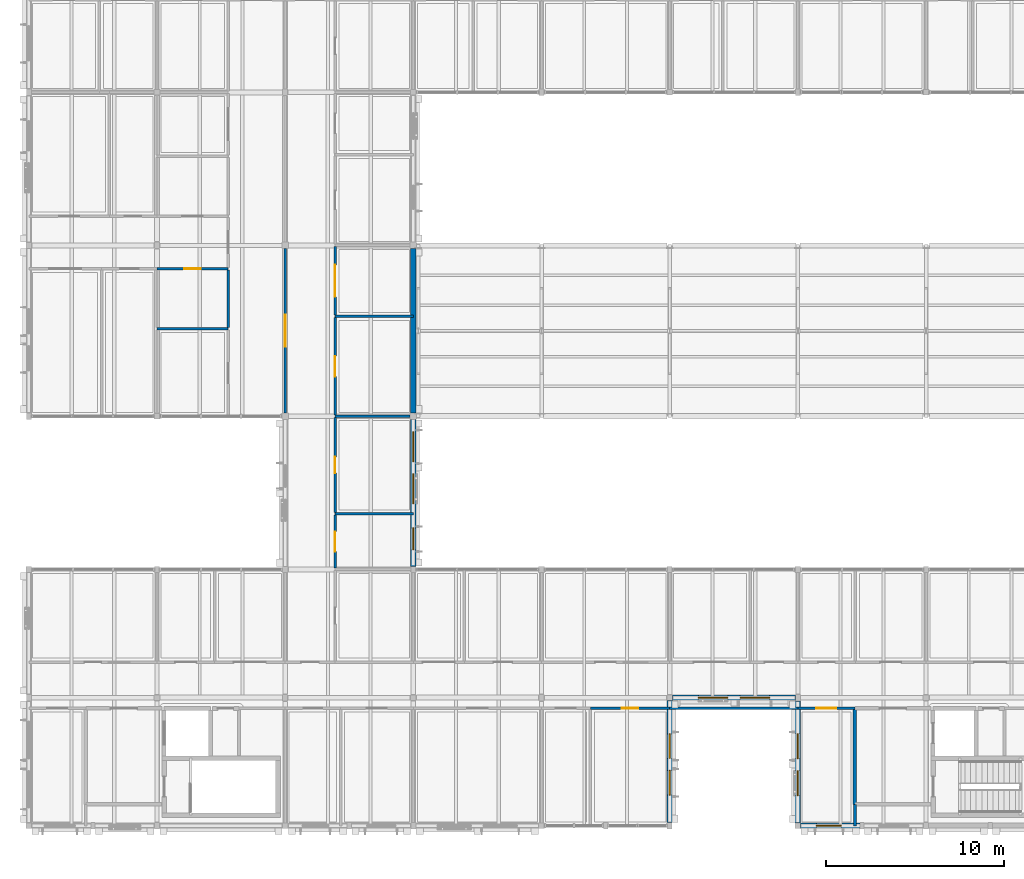
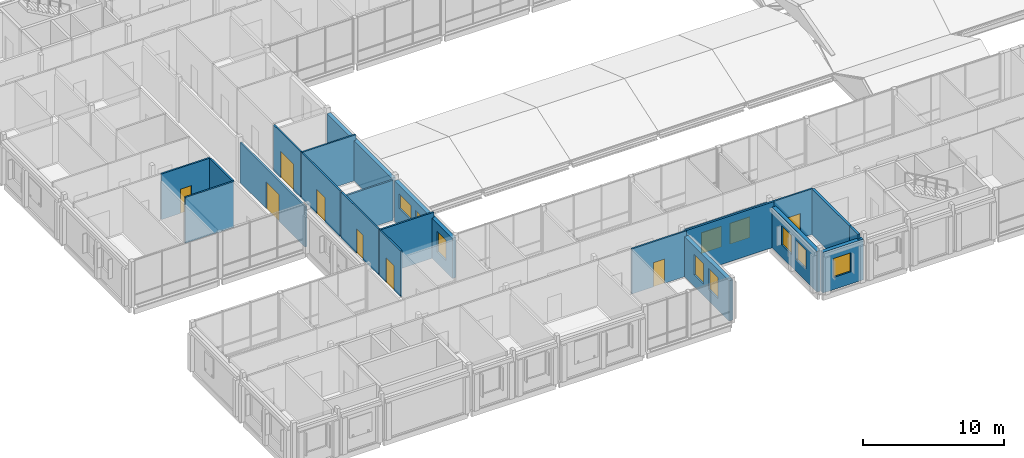
# One storey, part 83 of 115: 22 walls, 10 windows, 8 doors, 18 openings.
"""IFC4 building model written with IfcOpenShell, lengths in metres."""

from ifc_helpers import new_model, si_unit, direction, frame, frame_2d, origin, place, context, subcontext, project, spatial, rectangle, extrude, material, layer, layer_set, type_object, element, fill, save


model = new_model("IFC4")

# Units and contexts
model_context = context("Model", 3, precision=1e-05, world=origin(), true_north=direction((0.0, 1.0)))
body_context = subcontext(model_context, "Body", "Model", "MODEL_VIEW")
ifc_project = project(units=[si_unit("LENGTHUNIT", "METRE"), si_unit("AREAUNIT", "SQUARE_METRE"), si_unit("VOLUMEUNIT", "CUBIC_METRE"), si_unit("PLANEANGLEUNIT", "RADIAN"), si_unit("MASSUNIT", "GRAM", prefix="KILO")], contexts=[model_context])

# Site, building, storey
site_placement = place(None, origin())
site = spatial("IfcSite", under=ifc_project, at=site_placement, CompositionType="ELEMENT")
building_placement = place(site_placement, origin())
building = spatial("IfcBuilding", under=site, at=building_placement, Name="Hawrajan Terrace Health Centre", CompositionType="ELEMENT")
storey_placement = place(building_placement, frame((0.0, 0.0, 9.0)))
storey = spatial("IfcBuildingStorey", under=building, at=storey_placement, Name="L02", CompositionType="ELEMENT", Elevation=9.0)

# Wall, openings, windows
ifc_material_1 = material(Name="Precast concrete C40/50", Category="concrete")
ifc_layer_1 = layer(ifc_material_1, 0.31005859375)
ifc_layer_set_1 = layer_set([ifc_layer_1], Name="Precast concrete C40/50")
wall_type_1 = type_object("IfcWallType", Name="ArtDecoFacadeWall_310", PredefinedType="SOLIDWALL", material=ifc_layer_set_1)
wall_1_placement = place(storey_placement, frame((26.199951171875, 18.780029296875, 0.0), z_axis=(0.0, 0.0, 1.0), x_axis=(0.0, 1.0, 0.0)))
wall_1 = element("IfcWall", 1, at=wall_1_placement, inside=storey, type_object=wall_type_1, Name="Exterior wall EW-L02-V03-02-1", PredefinedType="SOLIDWALL", context=body_context, shape_type="SweptSolid", body=[
    extrude(rectangle(XDim=8.239990234375, YDim=0.31005859375, at=frame_2d((4.1201171875, 0.0))), origin(), (0.0, 0.0, 1.0), 3.489990234375),
])
opening_1_placement = place(wall_1_placement, frame((0.915283203125, 0.0, 1.0)))
opening_1 = element("IfcOpeningElement", 2, at=opening_1_placement, cuts=wall_1, Name="Opening W-L02-128", PredefinedType="OPENING", context=body_context, shape_type="SweptSolid", body=[
    extrude(rectangle(XDim=1.239990234375, YDim=1.800048828125, at=frame_2d((0.6201171875, 0.89990234375))), frame((0.0, 0.1650390625, 0.0), z_axis=(0.0, -1.0, 0.0), x_axis=(1.0, 0.0, 0.0)), (0.0, 0.0, 1.0), 0.330078125),
])
opening_2_placement = place(wall_1_placement, frame((3.51513671875, 0.0, 1.5)))
opening_2 = element("IfcOpeningElement", 3, at=opening_2_placement, cuts=wall_1, Name="Opening W-L02-129", PredefinedType="OPENING", context=body_context, shape_type="SweptSolid", body=[
    extrude(rectangle(XDim=1.679931640625, YDim=1.25, at=frame_2d((0.83984375, 0.625))), frame((0.0, 0.1650390625, 0.0), z_axis=(0.0, -1.0, 0.0), x_axis=(1.0, 0.0, 0.0)), (0.0, 0.0, 1.0), 0.330078125),
])
opening_3_placement = place(wall_1_placement, frame((5.875244140625, 0.0, 1.5)))
opening_3 = element("IfcOpeningElement", 4, at=opening_3_placement, cuts=wall_1, Name="Opening W-L02-130", PredefinedType="OPENING", context=body_context, shape_type="SweptSolid", body=[
    extrude(rectangle(XDim=1.679931640625, YDim=1.25, at=frame_2d((0.83984375, 0.625))), frame((0.0, 0.1650390625, 0.0), z_axis=(0.0, -1.0, 0.0), x_axis=(1.0, 0.0, 0.0)), (0.0, 0.0, 1.0), 0.330078125),
])
ifc_material_2 = material(Name="Anodized bronze frame with double low-E glazing", Category="glass")
window_type_1 = type_object("IfcWindowType", Name="FacadeWindow_1240x1800", PartitioningType="SINGLE_PANEL", PredefinedType="WINDOW", material=ifc_material_2)
window_1_placement = place(opening_1_placement, origin())
window_1 = element("IfcWindow", 5, at=window_1_placement, inside=storey, type_object=window_type_1, Name="Window W-L02-128", OverallHeight=1.800048828125, OverallWidth=1.239990234375, PartitioningType="SINGLE_PANEL", PredefinedType="WINDOW", context=body_context, shape_type="SweptSolid", body=[
    extrude(rectangle(XDim=1.239990234375, YDim=1.800048828125, at=frame_2d((0.6201171875, 0.89990234375))), frame((0.0, 0.030029296875, 0.0), z_axis=(0.0, -1.0, 0.0), x_axis=(1.0, 0.0, 0.0)), (0.0, 0.0, 1.0), 0.06005859375),
])
fill(opening_1, window_1)
window_type_2 = type_object("IfcWindowType", Name="FacadeWindow_1680x1250", PartitioningType="DOUBLE_PANEL_VERTICAL", PredefinedType="WINDOW", material=ifc_material_2)
window_2_placement = place(opening_2_placement, origin())
window_2 = element("IfcWindow", 6, at=window_2_placement, inside=storey, type_object=window_type_2, Name="Window W-L02-129", OverallHeight=1.25, OverallWidth=1.679931640625, PartitioningType="DOUBLE_PANEL_VERTICAL", PredefinedType="WINDOW", context=body_context, shape_type="SweptSolid", body=[
    extrude(rectangle(XDim=1.679931640625, YDim=1.25, at=frame_2d((0.83984375, 0.625))), frame((0.0, 0.030029296875, 0.0), z_axis=(0.0, -1.0, 0.0), x_axis=(1.0, 0.0, 0.0)), (0.0, 0.0, 1.0), 0.06005859375),
])
fill(opening_2, window_2)
window_3_placement = place(opening_3_placement, origin())
window_3 = element("IfcWindow", 7, at=window_3_placement, inside=storey, type_object=window_type_2, Name="Window W-L02-130", OverallHeight=1.25, OverallWidth=1.679931640625, PartitioningType="DOUBLE_PANEL_VERTICAL", PredefinedType="WINDOW", context=body_context, shape_type="SweptSolid", body=[
    extrude(rectangle(XDim=1.679931640625, YDim=1.25, at=frame_2d((0.83984375, 0.625))), frame((0.0, 0.030029296875, 0.0), z_axis=(0.0, -1.0, 0.0), x_axis=(1.0, 0.0, 0.0)), (0.0, 0.0, 1.0), 0.06005859375),
])
fill(opening_3, window_3)

# Wall
wall_2_placement = place(storey_placement, frame((26.199951171875, 27.3798828125, 0.0), z_axis=(0.0, 0.0, 1.0), x_axis=(0.0, 1.0, 0.0)))
element("IfcWall", 8, at=wall_2_placement, inside=storey, type_object=wall_type_1, Name="Exterior wall EW-L02-V03-03-1", PredefinedType="SOLIDWALL", context=body_context, shape_type="SweptSolid", body=[
    extrude(rectangle(XDim=9.240234375, YDim=0.31005859375, at=frame_2d((4.6201171875, 0.0))), origin(), (0.0, 0.0, 1.0), 3.489990234375),
])

# Wall, openings, windows
wall_3_placement = place(storey_placement, frame((40.60009765625, 4.3798828125, 0.0), z_axis=(0.0, 0.0, 1.0), x_axis=(0.0, 1.0, 0.0)))
wall_3 = element("IfcWall", 9, at=wall_3_placement, inside=storey, type_object=wall_type_1, Name="Exterior wall EW-L02-V05-00-1", PredefinedType="SOLIDWALL", context=body_context, shape_type="SweptSolid", body=[
    extrude(rectangle(XDim=6.860107421875, YDim=0.31005859375, at=frame_2d((3.43017578125, 0.0))), origin(), (0.0, 0.0, 1.0), 3.489990234375),
])
opening_4_placement = place(wall_3_placement, frame((1.550048828125, 0.0, 1.0)))
opening_4 = element("IfcOpeningElement", 10, at=opening_4_placement, cuts=wall_3, Name="Opening W-L02-139", PredefinedType="OPENING", context=body_context, shape_type="SweptSolid", body=[
    extrude(rectangle(XDim=1.3798828125, YDim=1.800048828125, at=frame_2d((0.68994140625, 0.89990234375))), frame((0.0, 0.1650390625, 0.0), z_axis=(0.0, -1.0, 0.0), x_axis=(1.0, 0.0, 0.0)), (0.0, 0.0, 1.0), 0.330078125),
])
opening_5_placement = place(wall_3_placement, frame((3.610107421875, 0.0, 1.0)))
opening_5 = element("IfcOpeningElement", 11, at=opening_5_placement, cuts=wall_3, Name="Opening W-L02-140", PredefinedType="OPENING", context=body_context, shape_type="SweptSolid", body=[
    extrude(rectangle(XDim=1.3798828125, YDim=1.800048828125, at=frame_2d((0.68994140625, 0.89990234375))), frame((0.0, 0.1650390625, 0.0), z_axis=(0.0, -1.0, 0.0), x_axis=(1.0, 0.0, 0.0)), (0.0, 0.0, 1.0), 0.330078125),
])
window_type_3 = type_object("IfcWindowType", Name="FacadeWindow_1380x1800", PartitioningType="SINGLE_PANEL", PredefinedType="WINDOW", material=ifc_material_2)
window_4_placement = place(opening_4_placement, origin())
window_4 = element("IfcWindow", 12, at=window_4_placement, inside=storey, type_object=window_type_3, Name="Window W-L02-139", OverallHeight=1.800048828125, OverallWidth=1.3798828125, PartitioningType="SINGLE_PANEL", PredefinedType="WINDOW", context=body_context, shape_type="SweptSolid", body=[
    extrude(rectangle(XDim=1.3798828125, YDim=1.800048828125, at=frame_2d((0.68994140625, 0.89990234375))), frame((0.0, 0.030029296875, 0.0), z_axis=(0.0, -1.0, 0.0), x_axis=(1.0, 0.0, 0.0)), (0.0, 0.0, 1.0), 0.06005859375),
])
fill(opening_4, window_4)
window_5_placement = place(opening_5_placement, origin())
window_5 = element("IfcWindow", 13, at=window_5_placement, inside=storey, type_object=window_type_3, Name="Window W-L02-140", OverallHeight=1.800048828125, OverallWidth=1.3798828125, PartitioningType="SINGLE_PANEL", PredefinedType="WINDOW", context=body_context, shape_type="SweptSolid", body=[
    extrude(rectangle(XDim=1.3798828125, YDim=1.800048828125, at=frame_2d((0.68994140625, 0.89990234375))), frame((0.0, 0.030029296875, 0.0), z_axis=(0.0, -1.0, 0.0), x_axis=(1.0, 0.0, 0.0)), (0.0, 0.0, 1.0), 0.06005859375),
])
fill(opening_5, window_5)

wall_4_placement = place(storey_placement, frame((40.760009765625, 11.39990234375, 0.0), z_axis=(0.0, 0.0, 1.0), x_axis=(1.0, 0.0, 0.0)))
wall_4 = element("IfcWall", 14, at=wall_4_placement, inside=storey, type_object=wall_type_1, Name="Exterior wall EW-L02-H05-01-1", PredefinedType="SOLIDWALL", context=body_context, shape_type="SweptSolid", body=[
    extrude(rectangle(XDim=6.89990234375, YDim=0.31005859375, at=frame_2d((3.449951171875, 0.0))), origin(), (0.0, 0.0, 1.0), 3.489990234375),
])
opening_6_placement = place(wall_4_placement, frame((1.449951171875, 0.0, 1.0)))
opening_6 = element("IfcOpeningElement", 15, at=opening_6_placement, cuts=wall_4, Name="Opening W-L02-141", PredefinedType="OPENING", context=body_context, shape_type="SweptSolid", body=[
    extrude(rectangle(XDim=1.659912109375, YDim=1.800048828125, at=frame_2d((0.830078125, 0.89990234375))), frame((0.0, 0.1650390625, 0.0), z_axis=(0.0, -1.0, 0.0), x_axis=(1.0, 0.0, 0.0)), (0.0, 0.0, 1.0), 0.330078125),
])
opening_7_placement = place(wall_4_placement, frame((3.7900390625, 0.0, 1.0)))
opening_7 = element("IfcOpeningElement", 16, at=opening_7_placement, cuts=wall_4, Name="Opening W-L02-142", PredefinedType="OPENING", context=body_context, shape_type="SweptSolid", body=[
    extrude(rectangle(XDim=1.659912109375, YDim=1.800048828125, at=frame_2d((0.830078125, 0.89990234375))), frame((0.0, 0.1650390625, 0.0), z_axis=(0.0, -1.0, 0.0), x_axis=(1.0, 0.0, 0.0)), (0.0, 0.0, 1.0), 0.330078125),
])
window_type_4 = type_object("IfcWindowType", Name="FacadeWindow_1660x1800", PartitioningType="DOUBLE_PANEL_VERTICAL", PredefinedType="WINDOW", material=ifc_material_2)
window_6_placement = place(opening_6_placement, origin())
window_6 = element("IfcWindow", 17, at=window_6_placement, inside=storey, type_object=window_type_4, Name="Window W-L02-141", OverallHeight=1.800048828125, OverallWidth=1.659912109375, PartitioningType="DOUBLE_PANEL_VERTICAL", PredefinedType="WINDOW", context=body_context, shape_type="SweptSolid", body=[
    extrude(rectangle(XDim=1.659912109375, YDim=1.800048828125, at=frame_2d((0.830078125, 0.89990234375))), frame((0.0, 0.030029296875, 0.0), z_axis=(0.0, -1.0, 0.0), x_axis=(1.0, 0.0, 0.0)), (0.0, 0.0, 1.0), 0.06005859375),
])
fill(opening_6, window_6)
window_7_placement = place(opening_7_placement, origin())
window_7 = element("IfcWindow", 18, at=window_7_placement, inside=storey, type_object=window_type_4, Name="Window W-L02-142", OverallHeight=1.800048828125, OverallWidth=1.659912109375, PartitioningType="DOUBLE_PANEL_VERTICAL", PredefinedType="WINDOW", context=body_context, shape_type="SweptSolid", body=[
    extrude(rectangle(XDim=1.659912109375, YDim=1.800048828125, at=frame_2d((0.830078125, 0.89990234375))), frame((0.0, 0.030029296875, 0.0), z_axis=(0.0, -1.0, 0.0), x_axis=(1.0, 0.0, 0.0)), (0.0, 0.0, 1.0), 0.06005859375),
])
fill(opening_7, window_7)

# Wall, opening, window
wall_5_placement = place(storey_placement, frame((47.9599609375, 4.199951171875, 0.0), z_axis=(0.0, 0.0, 1.0), x_axis=(1.0, 0.0, 0.0)))
wall_5 = element("IfcWall", 19, at=wall_5_placement, inside=storey, type_object=wall_type_1, Name="Exterior wall EW-L02-H06-00-1", PredefinedType="SOLIDWALL", context=body_context, shape_type="SweptSolid", body=[
    extrude(rectangle(XDim=3.320068359375, YDim=0.31005859375, at=frame_2d((1.66015625, 0.0))), origin(), (0.0, 0.0, 1.0), 3.530029296875),
])
opening_8_placement = place(wall_5_placement, frame((0.8798828125, 0.0, 1.050048828125)))
opening_8 = element("IfcOpeningElement", 20, at=opening_8_placement, cuts=wall_5, Name="Opening W-L02-145", PredefinedType="OPENING", context=body_context, shape_type="SweptSolid", body=[
    extrude(rectangle(XDim=1.39990234375, YDim=1.64990234375, at=frame_2d((0.699951171875, 0.824951171875))), frame((0.0, 0.1650390625, 0.0), z_axis=(0.0, -1.0, 0.0), x_axis=(1.0, 0.0, 0.0)), (0.0, 0.0, 1.0), 0.330078125),
])
window_type_5 = type_object("IfcWindowType", Name="FacadeWindow_1400x1650", PartitioningType="SINGLE_PANEL", PredefinedType="WINDOW", material=ifc_material_2)
window_8_placement = place(opening_8_placement, origin())
window_8 = element("IfcWindow", 21, at=window_8_placement, inside=storey, type_object=window_type_5, Name="Window W-L02-145", OverallHeight=1.64990234375, OverallWidth=1.39990234375, PartitioningType="SINGLE_PANEL", PredefinedType="WINDOW", context=body_context, shape_type="SweptSolid", body=[
    extrude(rectangle(XDim=1.39990234375, YDim=1.64990234375, at=frame_2d((0.699951171875, 0.824951171875))), frame((0.0, 0.030029296875, 0.0), z_axis=(0.0, -1.0, 0.0), x_axis=(1.0, 0.0, 0.0)), (0.0, 0.0, 1.0), 0.06005859375),
])
fill(opening_8, window_8)

# Wall, openings, windows
wall_6_placement = place(storey_placement, frame((47.800048828125, 4.360107421875, 0.0), z_axis=(0.0, 0.0, 1.0), x_axis=(0.0, 1.0, 0.0)))
wall_6 = element("IfcWall", 22, at=wall_6_placement, inside=storey, type_object=wall_type_1, Name="Exterior wall EW-L02-V06-00-1", PredefinedType="SOLIDWALL", context=body_context, shape_type="SweptSolid", body=[
    extrude(rectangle(XDim=6.85986328125, YDim=0.31005859375, at=frame_2d((3.429931640625, 0.0))), origin(), (0.0, 0.0, 1.0), 3.52001953125),
])
opening_9_placement = place(wall_6_placement, frame((1.5400390625, 0.0, 1.050048828125)))
opening_9 = element("IfcOpeningElement", 23, at=opening_9_placement, cuts=wall_6, Name="Opening W-L02-147", PredefinedType="OPENING", context=body_context, shape_type="SweptSolid", body=[
    extrude(rectangle(XDim=1.39990234375, YDim=1.64990234375, at=frame_2d((0.699951171875, 0.824951171875))), frame((0.0, 0.1650390625, 0.0), z_axis=(0.0, -1.0, 0.0), x_axis=(1.0, 0.0, 0.0)), (0.0, 0.0, 1.0), 0.330078125),
])
opening_10_placement = place(wall_6_placement, frame((3.6201171875, 0.0, 1.050048828125)))
opening_10 = element("IfcOpeningElement", 24, at=opening_10_placement, cuts=wall_6, Name="Opening W-L02-148", PredefinedType="OPENING", context=body_context, shape_type="SweptSolid", body=[
    extrude(rectangle(XDim=1.39990234375, YDim=1.64990234375, at=frame_2d((0.699951171875, 0.824951171875))), frame((0.0, 0.1650390625, 0.0), z_axis=(0.0, -1.0, 0.0), x_axis=(1.0, 0.0, 0.0)), (0.0, 0.0, 1.0), 0.330078125),
])
window_9_placement = place(opening_9_placement, origin())
window_9 = element("IfcWindow", 25, at=window_9_placement, inside=storey, type_object=window_type_5, Name="Window W-L02-147", OverallHeight=1.64990234375, OverallWidth=1.39990234375, PartitioningType="SINGLE_PANEL", PredefinedType="WINDOW", context=body_context, shape_type="SweptSolid", body=[
    extrude(rectangle(XDim=1.39990234375, YDim=1.64990234375, at=frame_2d((0.699951171875, 0.824951171875))), frame((0.0, 0.030029296875, 0.0), z_axis=(0.0, -1.0, 0.0), x_axis=(1.0, 0.0, 0.0)), (0.0, 0.0, 1.0), 0.06005859375),
])
fill(opening_9, window_9)
window_10_placement = place(opening_10_placement, origin())
window_10 = element("IfcWindow", 26, at=window_10_placement, inside=storey, type_object=window_type_5, Name="Window W-L02-148", OverallHeight=1.64990234375, OverallWidth=1.39990234375, PartitioningType="SINGLE_PANEL", PredefinedType="WINDOW", context=body_context, shape_type="SweptSolid", body=[
    extrude(rectangle(XDim=1.39990234375, YDim=1.64990234375, at=frame_2d((0.699951171875, 0.824951171875))), frame((0.0, 0.030029296875, 0.0), z_axis=(0.0, -1.0, 0.0), x_axis=(1.0, 0.0, 0.0)), (0.0, 0.0, 1.0), 0.06005859375),
])
fill(opening_10, window_10)

# Wall
ifc_material_3 = material(Name="Gypsum board on acoustic stud framing")
ifc_layer_2 = layer(ifc_material_3, 0.139892578125)
ifc_layer_set_2 = layer_set([ifc_layer_2], Name="Gypsum board on acoustic stud framing")
wall_type_2 = type_object("IfcWallType", Name="ClinicalAcousticWall_140", PredefinedType="PARTITIONING", material=ifc_layer_set_2)
wall_7_placement = place(storey_placement, frame((11.800048828125, 32.1220703125, 0.0), z_axis=(0.0, 0.0, 1.0), x_axis=(1.0, 0.0, 0.0)))
element("IfcWall", 27, at=wall_7_placement, inside=storey, type_object=wall_type_2, Name="Interior wall IW-L02-1002", PredefinedType="PARTITIONING", context=body_context, shape_type="SweptSolid", body=[
    extrude(rectangle(XDim=4.0, YDim=0.139892578125, at=frame_2d((2.0, 0.0))), origin(), (0.0, 0.0, 1.0), 3.9599609375),
])

# Wall, opening, door
wall_8_placement = place(storey_placement, frame((11.800048828125, 35.5, 0.0), z_axis=(0.0, 0.0, 1.0), x_axis=(1.0, 0.0, 0.0)))
wall_8 = element("IfcWall", 28, at=wall_8_placement, inside=storey, type_object=wall_type_2, Name="Interior wall IW-L02-1003", PredefinedType="PARTITIONING", context=body_context, shape_type="SweptSolid", body=[
    extrude(rectangle(XDim=4.0, YDim=0.139892578125, at=frame_2d((2.0, 0.0))), origin(), (0.0, 0.0, 1.0), 3.9599609375),
])
opening_11_placement = place(wall_8_placement, frame((1.5400390625, 0.0, 0.0)))
opening_11 = element("IfcOpeningElement", 29, at=opening_11_placement, cuts=wall_8, Name="Opening D-L02-476", PredefinedType="OPENING", context=body_context, shape_type="SweptSolid", body=[
    extrude(rectangle(XDim=0.919921875, YDim=2.10009765625, at=frame_2d((0.4599609375, 1.050048828125))), frame((0.0, 0.079833984375, 0.0), z_axis=(0.0, -1.0, 0.0), x_axis=(1.0, 0.0, 0.0)), (0.0, 0.0, 1.0), 0.159912109375),
])
ifc_material_4 = material(Name="Hardwood acoustic clinical door leaf and frame", Category="wood")
door_type_1 = type_object("IfcDoorType", Name="StaffOfficeDoor_920x2100", OperationType="NOTDEFINED", PredefinedType="DOOR", material=ifc_material_4)
door_1_placement = place(opening_11_placement, origin())
door_1 = element("IfcDoor", 30, at=door_1_placement, inside=storey, type_object=door_type_1, Name="Interior door D-L02-476", OperationType="SINGLE_SWING_RIGHT", OverallHeight=2.10009765625, OverallWidth=0.919921875, PredefinedType="DOOR", context=body_context, shape_type="SweptSolid", body=[
    extrude(rectangle(XDim=0.919921875, YDim=2.10009765625, at=frame_2d((0.4599609375, 1.050048828125))), frame((0.0, 0.02490234375, 0.0), z_axis=(0.0, -1.0, 0.0), x_axis=(1.0, 0.0, 0.0)), (0.0, 0.0, 1.0), 0.050048828125),
])
fill(opening_11, door_1)

# Wall
wall_9_placement = place(storey_placement, frame((15.800048828125, 32.19189453125, 0.0), z_axis=(0.0, 0.0, 1.0), x_axis=(0.0, 1.0, 0.0)))
element("IfcWall", 31, at=wall_9_placement, inside=storey, type_object=wall_type_2, Name="Interior wall IW-L02-1016", PredefinedType="PARTITIONING", context=body_context, shape_type="SweptSolid", body=[
    extrude(rectangle(XDim=3.238037109375, YDim=0.139892578125, at=frame_2d((1.619140625, 0.0))), origin(), (0.0, 0.0, 1.0), 3.9599609375),
])

# Wall, opening, door
wall_10_placement = place(storey_placement, frame((19.0, 27.3798828125, 0.0), z_axis=(0.0, 0.0, 1.0), x_axis=(0.0, 1.0, 0.0)))
wall_10 = element("IfcWall", 32, at=wall_10_placement, inside=storey, type_object=wall_type_2, Name="Interior wall IW-L02-1025", PredefinedType="PARTITIONING", context=body_context, shape_type="SweptSolid", body=[
    extrude(rectangle(XDim=9.240234375, YDim=0.139892578125, at=frame_2d((4.6201171875, 0.0))), origin(), (0.0, 0.0, 1.0), 3.489990234375),
])
opening_12_placement = place(wall_10_placement, frame((3.719970703125, 0.0, 0.0)))
opening_12 = element("IfcOpeningElement", 33, at=opening_12_placement, cuts=wall_10, Name="Opening D-L02-448", PredefinedType="OPENING", context=body_context, shape_type="SweptSolid", body=[
    extrude(rectangle(XDim=1.800048828125, YDim=2.300048828125, at=frame_2d((0.89990234375, 1.14990234375))), frame((0.0, 0.079833984375, 0.0), z_axis=(0.0, -1.0, 0.0), x_axis=(1.0, 0.0, 0.0)), (0.0, 0.0, 1.0), 0.159912109375),
])
door_type_2 = type_object("IfcDoorType", Name="EducationHallDoor_1800x2300", OperationType="DOUBLE_DOOR_SINGLE_SWING", PredefinedType="DOOR", material=ifc_material_4)
door_2_placement = place(opening_12_placement, origin())
door_2 = element("IfcDoor", 34, at=door_2_placement, inside=storey, type_object=door_type_2, Name="Interior door D-L02-448", OperationType="DOUBLE_DOOR_SINGLE_SWING", OverallHeight=2.300048828125, OverallWidth=1.800048828125, PredefinedType="DOOR", context=body_context, shape_type="SweptSolid", body=[
    extrude(rectangle(XDim=1.800048828125, YDim=2.300048828125, at=frame_2d((0.89990234375, 1.14990234375))), frame((0.0, 0.02490234375, 0.0), z_axis=(0.0, -1.0, 0.0), x_axis=(1.0, 0.0, 0.0)), (0.0, 0.0, 1.0), 0.050048828125),
])
fill(opening_12, door_2)

wall_11_placement = place(storey_placement, frame((21.800048828125, 18.669921875, 0.0), z_axis=(0.0, 0.0, 1.0), x_axis=(0.0, 1.0, 0.0)))
wall_11 = element("IfcWall", 35, at=wall_11_placement, inside=storey, type_object=wall_type_2, Name="Interior wall IW-L02-1032", PredefinedType="PARTITIONING", context=body_context, shape_type="SweptSolid", body=[
    extrude(rectangle(XDim=2.989990234375, YDim=0.139892578125, at=frame_2d((1.4951171875, 0.0))), origin(), (0.0, 0.0, 1.0), 3.9599609375),
])
opening_13_placement = place(wall_11_placement, frame((0.93505859375, 0.0, 0.0)))
opening_13 = element("IfcOpeningElement", 36, at=opening_13_placement, cuts=wall_11, Name="Opening D-L02-480", PredefinedType="OPENING", context=body_context, shape_type="SweptSolid", body=[
    extrude(rectangle(XDim=1.1201171875, YDim=2.14990234375, at=frame_2d((0.56005859375, 1.074951171875))), frame((0.0, 0.079833984375, 0.0), z_axis=(0.0, -1.0, 0.0), x_axis=(1.0, 0.0, 0.0)), (0.0, 0.0, 1.0), 0.159912109375),
])
door_type_3 = type_object("IfcDoorType", Name="DentalSurgeryDoor_1120x2150", OperationType="NOTDEFINED", PredefinedType="DOOR", material=ifc_material_4)
door_3_placement = place(opening_13_placement, origin())
door_3 = element("IfcDoor", 37, at=door_3_placement, inside=storey, type_object=door_type_3, Name="Interior door D-L02-480", OperationType="SINGLE_SWING_RIGHT", OverallHeight=2.14990234375, OverallWidth=1.1201171875, PredefinedType="DOOR", context=body_context, shape_type="SweptSolid", body=[
    extrude(rectangle(XDim=1.1201171875, YDim=2.14990234375, at=frame_2d((0.56005859375, 1.074951171875))), frame((0.0, 0.02490234375, 0.0), z_axis=(0.0, -1.0, 0.0), x_axis=(1.0, 0.0, 0.0)), (0.0, 0.0, 1.0), 0.050048828125),
])
fill(opening_13, door_3)

wall_12_placement = place(storey_placement, frame((21.800048828125, 21.800048828125, 0.0), z_axis=(0.0, 0.0, 1.0), x_axis=(0.0, 1.0, 0.0)))
wall_12 = element("IfcWall", 38, at=wall_12_placement, inside=storey, type_object=wall_type_2, Name="Interior wall IW-L02-1034", PredefinedType="PARTITIONING", context=body_context, shape_type="SweptSolid", body=[
    extrude(rectangle(XDim=5.329833984375, YDim=0.139892578125, at=frame_2d((2.6650390625, 0.0))), origin(), (0.0, 0.0, 1.0), 3.9599609375),
])
opening_14_placement = place(wall_12_placement, frame((2.205078125, 0.0, 0.0)))
opening_14 = element("IfcOpeningElement", 39, at=opening_14_placement, cuts=wall_12, Name="Opening D-L02-481", PredefinedType="OPENING", context=body_context, shape_type="SweptSolid", body=[
    extrude(rectangle(XDim=0.919921875, YDim=2.10009765625, at=frame_2d((0.4599609375, 1.050048828125))), frame((0.0, 0.079833984375, 0.0), z_axis=(0.0, -1.0, 0.0), x_axis=(1.0, 0.0, 0.0)), (0.0, 0.0, 1.0), 0.159912109375),
])
door_4_placement = place(opening_14_placement, origin())
door_4 = element("IfcDoor", 40, at=door_4_placement, inside=storey, type_object=door_type_1, Name="Interior door D-L02-481", OperationType="SINGLE_SWING_LEFT", OverallHeight=2.10009765625, OverallWidth=0.919921875, PredefinedType="DOOR", context=body_context, shape_type="SweptSolid", body=[
    extrude(rectangle(XDim=0.919921875, YDim=2.10009765625, at=frame_2d((0.4599609375, 1.050048828125))), frame((0.0, 0.02490234375, 0.0), z_axis=(0.0, -1.0, 0.0), x_axis=(1.0, 0.0, 0.0)), (0.0, 0.0, 1.0), 0.050048828125),
])
fill(opening_14, door_4)

# Wall
wall_13_placement = place(storey_placement, frame((21.800048828125, 21.72998046875, 0.0), z_axis=(0.0, 0.0, 1.0), x_axis=(1.0, 0.0, 0.0)))
element("IfcWall", 41, at=wall_13_placement, inside=storey, type_object=wall_type_2, Name="Interior wall IW-L02-1035", PredefinedType="PARTITIONING", context=body_context, shape_type="SweptSolid", body=[
    extrude(rectangle(XDim=4.39990234375, YDim=0.139892578125, at=frame_2d((2.199951171875, 0.0))), origin(), (0.0, 0.0, 1.0), 3.9599609375),
])

# Wall, opening, door
wall_14_placement = place(storey_placement, frame((21.800048828125, 27.27001953125, 0.0), z_axis=(0.0, 0.0, 1.0), x_axis=(0.0, 1.0, 0.0)))
wall_14 = element("IfcWall", 42, at=wall_14_placement, inside=storey, type_object=wall_type_2, Name="Interior wall IW-L02-1036", PredefinedType="PARTITIONING", context=body_context, shape_type="SweptSolid", body=[
    extrude(rectangle(XDim=5.47607421875, YDim=0.139892578125, at=frame_2d((2.738037109375, 0.0))), origin(), (0.0, 0.0, 1.0), 3.9599609375),
])
opening_15_placement = place(wall_14_placement, frame((2.157958984375, 0.0, 0.0)))
opening_15 = element("IfcOpeningElement", 43, at=opening_15_placement, cuts=wall_14, Name="Opening D-L02-482", PredefinedType="OPENING", context=body_context, shape_type="SweptSolid", body=[
    extrude(rectangle(XDim=1.159912109375, YDim=2.10009765625, at=frame_2d((0.580078125, 1.050048828125))), frame((0.0, 0.079833984375, 0.0), z_axis=(0.0, -1.0, 0.0), x_axis=(1.0, 0.0, 0.0)), (0.0, 0.0, 1.0), 0.159912109375),
])
door_type_4 = type_object("IfcDoorType", Name="ConsultDoor_1160x2100", OperationType="NOTDEFINED", PredefinedType="DOOR", material=ifc_material_4)
door_5_placement = place(opening_15_placement, origin())
door_5 = element("IfcDoor", 44, at=door_5_placement, inside=storey, type_object=door_type_4, Name="Interior door D-L02-482", OperationType="SINGLE_SWING_RIGHT", OverallHeight=2.10009765625, OverallWidth=1.159912109375, PredefinedType="DOOR", context=body_context, shape_type="SweptSolid", body=[
    extrude(rectangle(XDim=1.159912109375, YDim=2.10009765625, at=frame_2d((0.580078125, 1.050048828125))), frame((0.0, 0.02490234375, 0.0), z_axis=(0.0, -1.0, 0.0), x_axis=(1.0, 0.0, 0.0)), (0.0, 0.0, 1.0), 0.050048828125),
])
fill(opening_15, door_5)

# Wall
wall_15_placement = place(storey_placement, frame((21.800048828125, 27.199951171875, 0.0), z_axis=(0.0, 0.0, 1.0), x_axis=(1.0, 0.0, 0.0)))
element("IfcWall", 45, at=wall_15_placement, inside=storey, type_object=wall_type_2, Name="Interior wall IW-L02-1037", PredefinedType="PARTITIONING", context=body_context, shape_type="SweptSolid", body=[
    extrude(rectangle(XDim=4.219970703125, YDim=0.139892578125, at=frame_2d((2.10986328125, 0.0))), origin(), (0.0, 0.0, 1.0), 3.489990234375),
])

# Wall, opening, door
wall_16_placement = place(storey_placement, frame((21.800048828125, 32.885986328125, 0.0), z_axis=(0.0, 0.0, 1.0), x_axis=(0.0, 1.0, 0.0)))
wall_16 = element("IfcWall", 46, at=wall_16_placement, inside=storey, type_object=wall_type_2, Name="Interior wall IW-L02-1038", PredefinedType="PARTITIONING", context=body_context, shape_type="SweptSolid", body=[
    extrude(rectangle(XDim=3.843994140625, YDim=0.139892578125, at=frame_2d((1.921875, 0.0))), origin(), (0.0, 0.0, 1.0), 3.9599609375),
])
opening_16_placement = place(wall_16_placement, frame((1.02197265625, 0.0, 0.0)))
opening_16 = element("IfcOpeningElement", 47, at=opening_16_placement, cuts=wall_16, Name="Opening D-L02-483", PredefinedType="OPENING", context=body_context, shape_type="SweptSolid", body=[
    extrude(rectangle(XDim=1.800048828125, YDim=2.300048828125, at=frame_2d((0.89990234375, 1.14990234375))), frame((0.0, 0.079833984375, 0.0), z_axis=(0.0, -1.0, 0.0), x_axis=(1.0, 0.0, 0.0)), (0.0, 0.0, 1.0), 0.159912109375),
])
door_6_placement = place(opening_16_placement, origin())
door_6 = element("IfcDoor", 48, at=door_6_placement, inside=storey, type_object=door_type_2, Name="Interior door D-L02-483", OperationType="DOUBLE_DOOR_SINGLE_SWING", OverallHeight=2.300048828125, OverallWidth=1.800048828125, PredefinedType="DOOR", context=body_context, shape_type="SweptSolid", body=[
    extrude(rectangle(XDim=1.800048828125, YDim=2.300048828125, at=frame_2d((0.89990234375, 1.14990234375))), frame((0.0, 0.02490234375, 0.0), z_axis=(0.0, -1.0, 0.0), x_axis=(1.0, 0.0, 0.0)), (0.0, 0.0, 1.0), 0.050048828125),
])
fill(opening_16, door_6)

# Wall
wall_17_placement = place(storey_placement, frame((21.800048828125, 32.81591796875, 0.0), z_axis=(0.0, 0.0, 1.0), x_axis=(1.0, 0.0, 0.0)))
element("IfcWall", 49, at=wall_17_placement, inside=storey, type_object=wall_type_2, Name="Interior wall IW-L02-1039", PredefinedType="PARTITIONING", context=body_context, shape_type="SweptSolid", body=[
    extrude(rectangle(XDim=4.39990234375, YDim=0.139892578125, at=frame_2d((2.199951171875, 0.0))), origin(), (0.0, 0.0, 1.0), 3.9599609375),
])

# Wall, opening, door
wall_18_placement = place(storey_placement, frame((36.14306640625, 10.800048828125, 0.0), z_axis=(0.0, 0.0, 1.0), x_axis=(1.0, 0.0, 0.0)))
wall_18 = element("IfcWall", 50, at=wall_18_placement, inside=storey, type_object=wall_type_2, Name="Interior wall IW-L02-1073", PredefinedType="PARTITIONING", context=body_context, shape_type="SweptSolid", body=[
    extrude(rectangle(XDim=4.45703125, YDim=0.139892578125, at=frame_2d((2.228515625, 0.0))), origin(), (0.0, 0.0, 1.0), 3.909912109375),
])
opening_17_placement = place(wall_18_placement, frame((1.7685546875, 0.0, 0.0)))
opening_17 = element("IfcOpeningElement", 51, at=opening_17_placement, cuts=wall_18, Name="Opening D-L02-541", PredefinedType="OPENING", context=body_context, shape_type="SweptSolid", body=[
    extrude(rectangle(XDim=0.919921875, YDim=2.10009765625, at=frame_2d((0.4599609375, 1.050048828125))), frame((0.0, 0.079833984375, 0.0), z_axis=(0.0, -1.0, 0.0), x_axis=(1.0, 0.0, 0.0)), (0.0, 0.0, 1.0), 0.159912109375),
])
door_7_placement = place(opening_17_placement, origin())
door_7 = element("IfcDoor", 52, at=door_7_placement, inside=storey, type_object=door_type_1, Name="Interior door D-L02-541", OperationType="SINGLE_SWING_LEFT", OverallHeight=2.10009765625, OverallWidth=0.919921875, PredefinedType="DOOR", context=body_context, shape_type="SweptSolid", body=[
    extrude(rectangle(XDim=0.919921875, YDim=2.10009765625, at=frame_2d((0.4599609375, 1.050048828125))), frame((0.0, 0.02490234375, 0.0), z_axis=(0.0, -1.0, 0.0), x_axis=(1.0, 0.0, 0.0)), (0.0, 0.0, 1.0), 0.050048828125),
])
fill(opening_17, door_7)

wall_19_placement = place(storey_placement, frame((47.800048828125, 10.800048828125, 0.0), z_axis=(0.0, 0.0, 1.0), x_axis=(1.0, 0.0, 0.0)))
wall_19 = element("IfcWall", 53, at=wall_19_placement, inside=storey, type_object=wall_type_2, Name="Interior wall IW-L02-1088", PredefinedType="PARTITIONING", context=body_context, shape_type="SweptSolid", body=[
    extrude(rectangle(XDim=3.199951171875, YDim=0.139892578125, at=frame_2d((1.60009765625, 0.0))), origin(), (0.0, 0.0, 1.0), 3.9599609375),
])
opening_18_placement = place(wall_19_placement, frame((1.0400390625, 0.0, 0.0)))
opening_18 = element("IfcOpeningElement", 54, at=opening_18_placement, cuts=wall_19, Name="Opening D-L02-505", PredefinedType="OPENING", context=body_context, shape_type="SweptSolid", body=[
    extrude(rectangle(XDim=1.1201171875, YDim=2.14990234375, at=frame_2d((0.56005859375, 1.074951171875))), frame((0.0, 0.079833984375, 0.0), z_axis=(0.0, -1.0, 0.0), x_axis=(1.0, 0.0, 0.0)), (0.0, 0.0, 1.0), 0.159912109375),
])
door_8_placement = place(opening_18_placement, origin())
door_8 = element("IfcDoor", 55, at=door_8_placement, inside=storey, type_object=door_type_3, Name="Interior door D-L02-505", OperationType="SINGLE_SWING_LEFT", OverallHeight=2.14990234375, OverallWidth=1.1201171875, PredefinedType="DOOR", context=body_context, shape_type="SweptSolid", body=[
    extrude(rectangle(XDim=1.1201171875, YDim=2.14990234375, at=frame_2d((0.56005859375, 1.074951171875))), frame((0.0, 0.02490234375, 0.0), z_axis=(0.0, -1.0, 0.0), x_axis=(1.0, 0.0, 0.0)), (0.0, 0.0, 1.0), 0.050048828125),
])
fill(opening_18, door_8)

# Walls
ifc_layer_3 = layer(ifc_material_3, 0.159912109375)
ifc_layer_set_3 = layer_set([ifc_layer_3], Name="Gypsum board on acoustic stud framing")
wall_type_3 = type_object("IfcWallType", Name="CorridorFireWall_160", PredefinedType="PARTITIONING", material=ifc_layer_set_3)
wall_20_placement = place(storey_placement, frame((40.60009765625, 10.800048828125, 0.0), z_axis=(0.0, 0.0, 1.0), x_axis=(1.0, 0.0, 0.0)))
element("IfcWall", 56, at=wall_20_placement, inside=storey, type_object=wall_type_3, Name="Interior wall IW-L02-1227", PredefinedType="PARTITIONING", context=body_context, shape_type="SweptSolid", body=[
    extrude(rectangle(XDim=7.199951171875, YDim=0.159912109375, at=frame_2d((3.60009765625, 0.0))), origin(), (0.0, 0.0, 1.0), 3.9599609375),
])
wall_21_placement = place(storey_placement, frame((51.0, 4.199951171875, 0.0), z_axis=(0.0, 0.0, 1.0), x_axis=(0.0, 1.0, 0.0)))
element("IfcWall", 57, at=wall_21_placement, inside=storey, type_object=wall_type_3, Name="Interior wall IW-L02-1258", PredefinedType="PARTITIONING", context=body_context, shape_type="SweptSolid", body=[
    extrude(rectangle(XDim=1.199951171875, YDim=0.159912109375, at=frame_2d((0.60009765625, 0.0))), origin(), (0.0, 0.0, 1.0), 3.9599609375),
])
ifc_material_5 = material(Name="Cross-laminated timber CLT C24", Category="wood")
ifc_layer_4 = layer(ifc_material_5, 0.199951171875)
ifc_layer_set_4 = layer_set([ifc_layer_4], Name="Cross-laminated timber CLT C24")
wall_type_4 = type_object("IfcWallType", Name="FireCompartmentWall_200", PredefinedType="PARTITIONING", material=ifc_layer_set_4)
wall_22_placement = place(storey_placement, frame((51.0, 5.39990234375, 0.0), z_axis=(0.0, 0.0, 1.0), x_axis=(0.0, 1.0, 0.0)))
element("IfcWall", 58, at=wall_22_placement, inside=storey, type_object=wall_type_4, Name="Interior wall IW-L02-1094", PredefinedType="PARTITIONING", context=body_context, shape_type="SweptSolid", body=[
    extrude(rectangle(XDim=5.330078125, YDim=0.199951171875, at=frame_2d((2.6650390625, 0.0))), origin(), (0.0, 0.0, 1.0), 3.9599609375),
])

save(model, "model.ifc")
